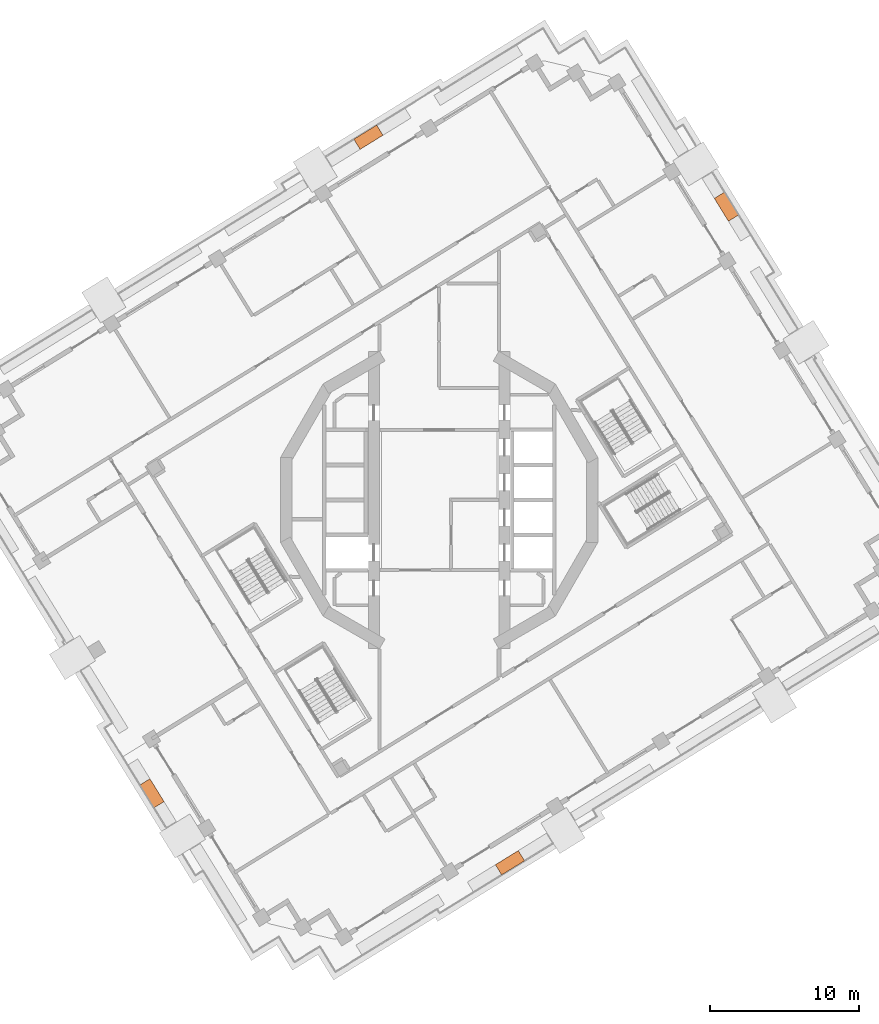
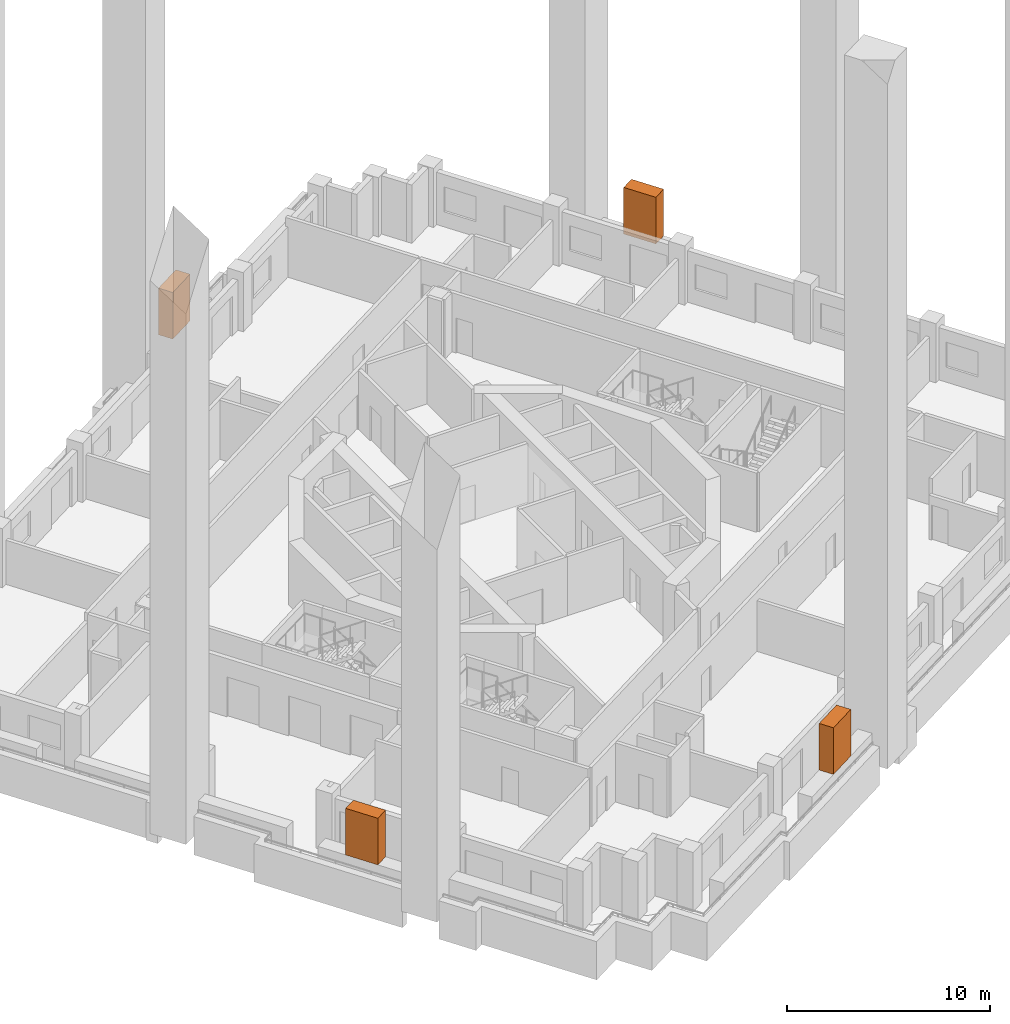
# One storey, part 19 of 19: 4 proxies.
"""IFC4 building model written with IfcOpenShell, lengths in metres."""

from ifc_helpers import new_model, si_unit, direction, frame, origin, origin_2d, place, context, subcontext, project, spatial, rectangle, extrude, element, save


model = new_model("IFC4")

# Units and contexts
model_context = context("Model", 3, precision=1e-05, world=origin(), true_north=direction((0.0, 1.0)))
body_context = subcontext(model_context, "Body", "Model", "MODEL_VIEW")
ifc_project = project(units=[si_unit("LENGTHUNIT", "METRE"), si_unit("AREAUNIT", "SQUARE_METRE"), si_unit("VOLUMEUNIT", "CUBIC_METRE"), si_unit("PLANEANGLEUNIT", "RADIAN"), si_unit("MASSUNIT", "GRAM", prefix="KILO")], contexts=[model_context])

# Site, building, storey
site_placement = place(None, origin())
site = spatial("IfcSite", under=ifc_project, at=site_placement, CompositionType="ELEMENT")
building_placement = place(site_placement, origin())
building = spatial("IfcBuilding", under=site, at=building_placement, Name="Cantera Rosa Tower", CompositionType="ELEMENT")
storey_placement = place(building_placement, frame((0.0, 0.0, 147.60009765625)))
storey = spatial("IfcBuildingStorey", under=building, at=storey_placement, Name="L31", CompositionType="ELEMENT", Elevation=147.60009765625)

# Proxies
for number, where, z_axis, x_axis, name in (
    (1, (19.24267578125, 19.64697265625, 1.60009765625), (0.0, 0.0, 1.0), (-0.52497658034, 0.851116672434, 0.0), "TREE L31-04"),
    (2, (-4.7421875, 24.29833984375, 1.60009765625), (0.0, 0.0, 1.0), (-0.851116672434, -0.52497658034, 0.0), "TREE L31-07"),
    (3, (-19.24267578125, -19.64697265625, 1.60009765625), (0.0, 0.0, 1.0), (0.52497658034, -0.851116672434, 0.0), "TREE L31-14"),
    (4, (4.7421875, -24.29833984375, 1.60009765625), (0.0, 0.0, 1.0), (0.851116672434, 0.52497658034, 0.0), "TREE L31-17"),
):
    element("IfcBuildingElementProxy", number, at=place(storey_placement, frame(where, z_axis=z_axis, x_axis=x_axis)), inside=storey, Name=name, ObjectType="TREE", PredefinedType="USERDEFINED", context=body_context, shape_type="SweptSolid", body=[
        extrude(rectangle(XDim=1.800048828125, YDim=0.800048828125, at=origin_2d()), origin(), (0.0, 0.0, 1.0), 2.800048828125),
    ])

save(model, "model.ifc")
